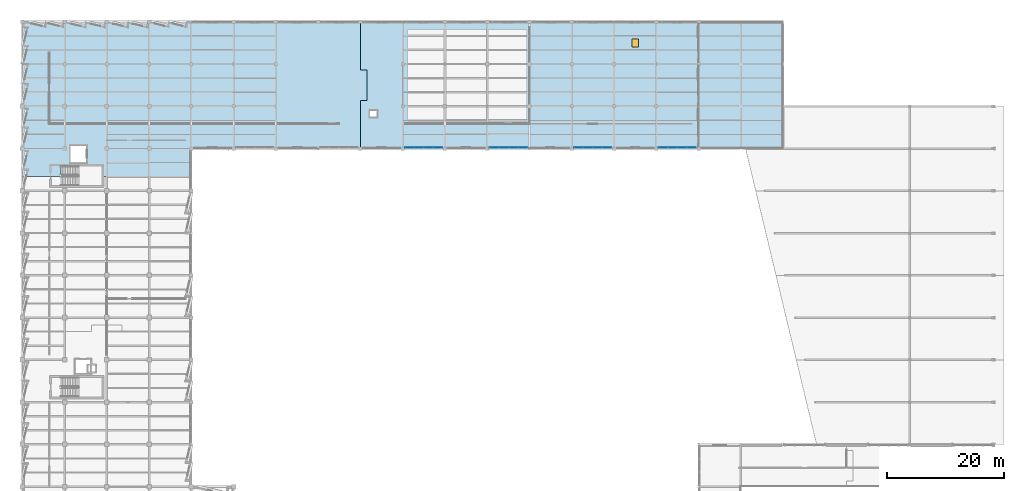
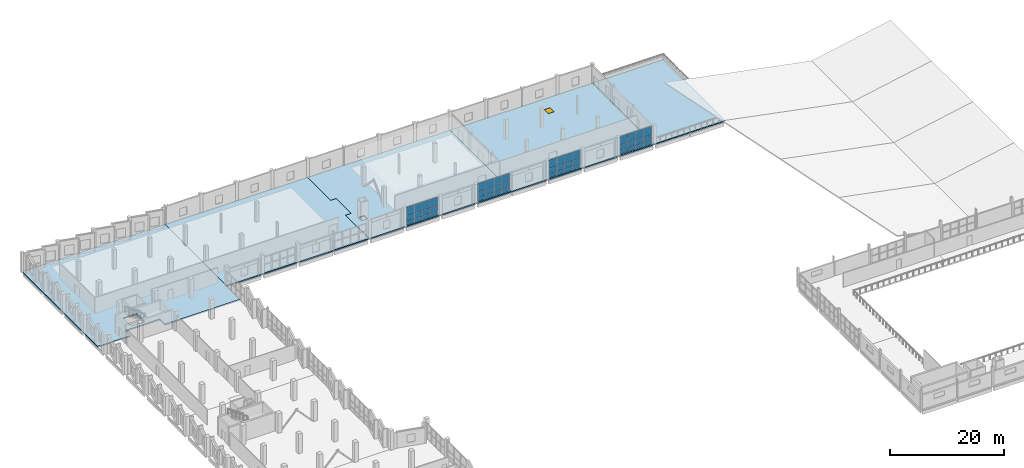
# One storey, part 61 of 94: 48 plates, 5 slabs, 1 door, 1 opening, 4 elements without a shape of their own.
"""IFC4 building model written with IfcOpenShell, lengths in metres."""

from ifc_helpers import new_model, si_unit, direction, frame, origin, origin_2d, place, context, subcontext, project, spatial, polyline, rectangle, outline, extrude, material, layer, layer_set, type_object, element, fill, aggregate, save


model = new_model("IFC4")

# Units and contexts
model_context = context("Model", 3, precision=1e-05, world=origin(), true_north=direction((0.0, 1.0)))
body_context = subcontext(model_context, "Body", "Model", "MODEL_VIEW")
ifc_project = project(units=[si_unit("LENGTHUNIT", "METRE"), si_unit("AREAUNIT", "SQUARE_METRE"), si_unit("VOLUMEUNIT", "CUBIC_METRE"), si_unit("PLANEANGLEUNIT", "RADIAN"), si_unit("MASSUNIT", "GRAM", prefix="KILO")], contexts=[model_context])

# Site, building, storey
site_placement = place(None, origin())
site = spatial("IfcSite", under=ifc_project, at=site_placement, CompositionType="ELEMENT")
building_placement = place(site_placement, origin())
building = spatial("IfcBuilding", under=site, at=building_placement, Name="Kalmorath City Hall", CompositionType="ELEMENT")
storey_placement = place(building_placement, frame((0.0, 0.0, 14.699951171875)))
storey = spatial("IfcBuildingStorey", under=building, at=storey_placement, Name="L03", CompositionType="ELEMENT", Elevation=14.699951171875)

# Curtain wall, plates
ifc_material_1 = material(Name="Anodised aluminium and laminated glass", Category="aluminium")
curtain_wall_type_1 = type_object("IfcCurtainWallType", Name="Unitised hurricane curtain wall 6420x3950 M1750", PredefinedType="NOTDEFINED", material=ifc_material_1)
curtain_wall_1_placement = place(storey_placement, origin())
curtain_wall_1 = element("IfcCurtainWall", 1, at=curtain_wall_1_placement, inside=storey, type_object=curtain_wall_type_1, Name="L03 curtain wall CW-64X40M18 #145", PredefinedType="NOTDEFINED")
ifc_material_2 = material(Name="Hurricane laminated low-E glass", Category="glass")
ifc_layer_1 = layer(ifc_material_2, 0.02392578125)
ifc_layer_set_1 = layer_set([ifc_layer_1], Name="Hurricane laminated low-E glass")
plate_type = type_object("IfcPlateType", Name="Clerestory diffused glazed panel 24", PredefinedType="CURTAIN_PANEL", material=ifc_layer_set_1)
plate_1_placement = place(storey_placement, frame((113.9912109375, 93.760009765625, 0.06005859375), z_axis=(0.0, 0.0, 1.0), x_axis=(-1.0, 0.0, 0.0)))
plate_1 = element("IfcPlate", 2, at=plate_1_placement, type_object=plate_type, Name="CW-64X40M18 panel 1.1", PredefinedType="CURTAIN_PANEL", context=body_context, shape_type="SweptSolid", body=[
    extrude(rectangle(XDim=1.507568359375, YDim=0.02392578125, at=origin_2d()), origin(), (0.0, 0.0, 1.0), 0.760009765625),
])
plate_2_placement = place(storey_placement, frame((113.9912109375, 93.760009765625, 0.880126953125), z_axis=(0.0, 0.0, 1.0), x_axis=(-1.0, 0.0, 0.0)))
plate_2 = element("IfcPlate", 3, at=plate_2_placement, type_object=plate_type, Name="CW-64X40M18 panel 1.2", PredefinedType="CURTAIN_PANEL", context=body_context, shape_type="SweptSolid", body=[
    extrude(rectangle(XDim=1.507568359375, YDim=0.02392578125, at=origin_2d()), origin(), (0.0, 0.0, 1.0), 1.14404296875),
])
plate_3_placement = place(storey_placement, frame((113.9912109375, 93.760009765625, 2.083984375), z_axis=(0.0, 0.0, 1.0), x_axis=(-1.0, 0.0, 0.0)))
plate_3 = element("IfcPlate", 4, at=plate_3_placement, type_object=plate_type, Name="CW-64X40M18 panel 1.3", PredefinedType="CURTAIN_PANEL", context=body_context, shape_type="SweptSolid", body=[
    extrude(rectangle(XDim=1.507568359375, YDim=0.02392578125, at=origin_2d()), origin(), (0.0, 0.0, 1.0), 1.805908203125),
])
plate_4_placement = place(storey_placement, frame((112.402587890625, 93.760009765625, 0.06005859375), z_axis=(0.0, 0.0, 1.0), x_axis=(-1.0, 0.0, 0.0)))
plate_4 = element("IfcPlate", 5, at=plate_4_placement, type_object=plate_type, Name="CW-64X40M18 panel 2.1", PredefinedType="CURTAIN_PANEL", context=body_context, shape_type="SweptSolid", body=[
    extrude(rectangle(XDim=1.5400390625, YDim=0.02392578125, at=origin_2d()), origin(), (0.0, 0.0, 1.0), 0.760009765625),
])
plate_5_placement = place(storey_placement, frame((112.402587890625, 93.760009765625, 0.880126953125), z_axis=(0.0, 0.0, 1.0), x_axis=(-1.0, 0.0, 0.0)))
plate_5 = element("IfcPlate", 6, at=plate_5_placement, type_object=plate_type, Name="CW-64X40M18 panel 2.2", PredefinedType="CURTAIN_PANEL", context=body_context, shape_type="SweptSolid", body=[
    extrude(rectangle(XDim=1.5400390625, YDim=0.02392578125, at=origin_2d()), origin(), (0.0, 0.0, 1.0), 1.14404296875),
])
plate_6_placement = place(storey_placement, frame((112.402587890625, 93.760009765625, 2.083984375), z_axis=(0.0, 0.0, 1.0), x_axis=(-1.0, 0.0, 0.0)))
plate_6 = element("IfcPlate", 7, at=plate_6_placement, type_object=plate_type, Name="CW-64X40M18 panel 2.3", PredefinedType="CURTAIN_PANEL", context=body_context, shape_type="SweptSolid", body=[
    extrude(rectangle(XDim=1.5400390625, YDim=0.02392578125, at=origin_2d()), origin(), (0.0, 0.0, 1.0), 1.805908203125),
])
plate_7_placement = place(storey_placement, frame((110.797607421875, 93.760009765625, 0.06005859375), z_axis=(0.0, 0.0, 1.0), x_axis=(-1.0, 0.0, 0.0)))
plate_7 = element("IfcPlate", 8, at=plate_7_placement, type_object=plate_type, Name="CW-64X40M18 panel 3.1", PredefinedType="CURTAIN_PANEL", context=body_context, shape_type="SweptSolid", body=[
    extrude(rectangle(XDim=1.5400390625, YDim=0.02392578125, at=origin_2d()), origin(), (0.0, 0.0, 1.0), 0.760009765625),
])
plate_8_placement = place(storey_placement, frame((110.797607421875, 93.760009765625, 0.880126953125), z_axis=(0.0, 0.0, 1.0), x_axis=(-1.0, 0.0, 0.0)))
plate_8 = element("IfcPlate", 9, at=plate_8_placement, type_object=plate_type, Name="CW-64X40M18 panel 3.2", PredefinedType="CURTAIN_PANEL", context=body_context, shape_type="SweptSolid", body=[
    extrude(rectangle(XDim=1.5400390625, YDim=0.02392578125, at=origin_2d()), origin(), (0.0, 0.0, 1.0), 1.14404296875),
])
plate_9_placement = place(storey_placement, frame((110.797607421875, 93.760009765625, 2.083984375), z_axis=(0.0, 0.0, 1.0), x_axis=(-1.0, 0.0, 0.0)))
plate_9 = element("IfcPlate", 10, at=plate_9_placement, type_object=plate_type, Name="CW-64X40M18 panel 3.3", PredefinedType="CURTAIN_PANEL", context=body_context, shape_type="SweptSolid", body=[
    extrude(rectangle(XDim=1.5400390625, YDim=0.02392578125, at=origin_2d()), origin(), (0.0, 0.0, 1.0), 1.805908203125),
])
plate_10_placement = place(storey_placement, frame((109.208740234375, 93.760009765625, 0.06005859375), z_axis=(0.0, 0.0, 1.0), x_axis=(-1.0, 0.0, 0.0)))
plate_10 = element("IfcPlate", 11, at=plate_10_placement, type_object=plate_type, Name="CW-64X40M18 panel 4.1", PredefinedType="CURTAIN_PANEL", context=body_context, shape_type="SweptSolid", body=[
    extrude(rectangle(XDim=1.507568359375, YDim=0.02392578125, at=origin_2d()), origin(), (0.0, 0.0, 1.0), 0.760009765625),
])
plate_11_placement = place(storey_placement, frame((109.208740234375, 93.760009765625, 0.880126953125), z_axis=(0.0, 0.0, 1.0), x_axis=(-1.0, 0.0, 0.0)))
plate_11 = element("IfcPlate", 12, at=plate_11_placement, type_object=plate_type, Name="CW-64X40M18 panel 4.2", PredefinedType="CURTAIN_PANEL", context=body_context, shape_type="SweptSolid", body=[
    extrude(rectangle(XDim=1.507568359375, YDim=0.02392578125, at=origin_2d()), origin(), (0.0, 0.0, 1.0), 1.14404296875),
])
plate_12_placement = place(storey_placement, frame((109.208740234375, 93.760009765625, 2.083984375), z_axis=(0.0, 0.0, 1.0), x_axis=(-1.0, 0.0, 0.0)))
plate_12 = element("IfcPlate", 13, at=plate_12_placement, type_object=plate_type, Name="CW-64X40M18 panel 4.3", PredefinedType="CURTAIN_PANEL", context=body_context, shape_type="SweptSolid", body=[
    extrude(rectangle(XDim=1.507568359375, YDim=0.02392578125, at=origin_2d()), origin(), (0.0, 0.0, 1.0), 1.805908203125),
])
aggregate(curtain_wall_1, [plate_1, plate_2, plate_3, plate_4, plate_5, plate_6, plate_7, plate_8, plate_9, plate_10, plate_11, plate_12])

curtain_wall_2_placement = place(storey_placement, origin())
curtain_wall_2 = element("IfcCurtainWall", 14, at=curtain_wall_2_placement, inside=storey, type_object=curtain_wall_type_1, Name="L03 curtain wall CW-64X40M18 #146", PredefinedType="NOTDEFINED")
plate_13_placement = place(storey_placement, frame((99.59130859375, 93.760009765625, 0.06005859375), z_axis=(0.0, 0.0, 1.0), x_axis=(-1.0, 0.0, 0.0)))
plate_13 = element("IfcPlate", 15, at=plate_13_placement, type_object=plate_type, Name="CW-64X40M18 panel 1.1", PredefinedType="CURTAIN_PANEL", context=body_context, shape_type="SweptSolid", body=[
    extrude(rectangle(XDim=1.507568359375, YDim=0.02392578125, at=origin_2d()), origin(), (0.0, 0.0, 1.0), 0.760009765625),
])
plate_14_placement = place(storey_placement, frame((99.59130859375, 93.760009765625, 0.880126953125), z_axis=(0.0, 0.0, 1.0), x_axis=(-1.0, 0.0, 0.0)))
plate_14 = element("IfcPlate", 16, at=plate_14_placement, type_object=plate_type, Name="CW-64X40M18 panel 1.2", PredefinedType="CURTAIN_PANEL", context=body_context, shape_type="SweptSolid", body=[
    extrude(rectangle(XDim=1.507568359375, YDim=0.02392578125, at=origin_2d()), origin(), (0.0, 0.0, 1.0), 1.14404296875),
])
plate_15_placement = place(storey_placement, frame((99.59130859375, 93.760009765625, 2.083984375), z_axis=(0.0, 0.0, 1.0), x_axis=(-1.0, 0.0, 0.0)))
plate_15 = element("IfcPlate", 17, at=plate_15_placement, type_object=plate_type, Name="CW-64X40M18 panel 1.3", PredefinedType="CURTAIN_PANEL", context=body_context, shape_type="SweptSolid", body=[
    extrude(rectangle(XDim=1.507568359375, YDim=0.02392578125, at=origin_2d()), origin(), (0.0, 0.0, 1.0), 1.805908203125),
])
plate_16_placement = place(storey_placement, frame((98.00244140625, 93.760009765625, 0.06005859375), z_axis=(0.0, 0.0, 1.0), x_axis=(-1.0, 0.0, 0.0)))
plate_16 = element("IfcPlate", 18, at=plate_16_placement, type_object=plate_type, Name="CW-64X40M18 panel 2.1", PredefinedType="CURTAIN_PANEL", context=body_context, shape_type="SweptSolid", body=[
    extrude(rectangle(XDim=1.5400390625, YDim=0.02392578125, at=origin_2d()), origin(), (0.0, 0.0, 1.0), 0.760009765625),
])
plate_17_placement = place(storey_placement, frame((98.00244140625, 93.760009765625, 0.880126953125), z_axis=(0.0, 0.0, 1.0), x_axis=(-1.0, 0.0, 0.0)))
plate_17 = element("IfcPlate", 19, at=plate_17_placement, type_object=plate_type, Name="CW-64X40M18 panel 2.2", PredefinedType="CURTAIN_PANEL", context=body_context, shape_type="SweptSolid", body=[
    extrude(rectangle(XDim=1.5400390625, YDim=0.02392578125, at=origin_2d()), origin(), (0.0, 0.0, 1.0), 1.14404296875),
])
plate_18_placement = place(storey_placement, frame((98.00244140625, 93.760009765625, 2.083984375), z_axis=(0.0, 0.0, 1.0), x_axis=(-1.0, 0.0, 0.0)))
plate_18 = element("IfcPlate", 20, at=plate_18_placement, type_object=plate_type, Name="CW-64X40M18 panel 2.3", PredefinedType="CURTAIN_PANEL", context=body_context, shape_type="SweptSolid", body=[
    extrude(rectangle(XDim=1.5400390625, YDim=0.02392578125, at=origin_2d()), origin(), (0.0, 0.0, 1.0), 1.805908203125),
])
plate_19_placement = place(storey_placement, frame((96.3974609375, 93.760009765625, 0.06005859375), z_axis=(0.0, 0.0, 1.0), x_axis=(-1.0, 0.0, 0.0)))
plate_19 = element("IfcPlate", 21, at=plate_19_placement, type_object=plate_type, Name="CW-64X40M18 panel 3.1", PredefinedType="CURTAIN_PANEL", context=body_context, shape_type="SweptSolid", body=[
    extrude(rectangle(XDim=1.5400390625, YDim=0.02392578125, at=origin_2d()), origin(), (0.0, 0.0, 1.0), 0.760009765625),
])
plate_20_placement = place(storey_placement, frame((96.3974609375, 93.760009765625, 0.880126953125), z_axis=(0.0, 0.0, 1.0), x_axis=(-1.0, 0.0, 0.0)))
plate_20 = element("IfcPlate", 22, at=plate_20_placement, type_object=plate_type, Name="CW-64X40M18 panel 3.2", PredefinedType="CURTAIN_PANEL", context=body_context, shape_type="SweptSolid", body=[
    extrude(rectangle(XDim=1.5400390625, YDim=0.02392578125, at=origin_2d()), origin(), (0.0, 0.0, 1.0), 1.14404296875),
])
plate_21_placement = place(storey_placement, frame((96.3974609375, 93.760009765625, 2.083984375), z_axis=(0.0, 0.0, 1.0), x_axis=(-1.0, 0.0, 0.0)))
plate_21 = element("IfcPlate", 23, at=plate_21_placement, type_object=plate_type, Name="CW-64X40M18 panel 3.3", PredefinedType="CURTAIN_PANEL", context=body_context, shape_type="SweptSolid", body=[
    extrude(rectangle(XDim=1.5400390625, YDim=0.02392578125, at=origin_2d()), origin(), (0.0, 0.0, 1.0), 1.805908203125),
])
plate_22_placement = place(storey_placement, frame((94.808837890625, 93.760009765625, 0.06005859375), z_axis=(0.0, 0.0, 1.0), x_axis=(-1.0, 0.0, 0.0)))
plate_22 = element("IfcPlate", 24, at=plate_22_placement, type_object=plate_type, Name="CW-64X40M18 panel 4.1", PredefinedType="CURTAIN_PANEL", context=body_context, shape_type="SweptSolid", body=[
    extrude(rectangle(XDim=1.507568359375, YDim=0.02392578125, at=origin_2d()), origin(), (0.0, 0.0, 1.0), 0.760009765625),
])
plate_23_placement = place(storey_placement, frame((94.808837890625, 93.760009765625, 0.880126953125), z_axis=(0.0, 0.0, 1.0), x_axis=(-1.0, 0.0, 0.0)))
plate_23 = element("IfcPlate", 25, at=plate_23_placement, type_object=plate_type, Name="CW-64X40M18 panel 4.2", PredefinedType="CURTAIN_PANEL", context=body_context, shape_type="SweptSolid", body=[
    extrude(rectangle(XDim=1.507568359375, YDim=0.02392578125, at=origin_2d()), origin(), (0.0, 0.0, 1.0), 1.14404296875),
])
plate_24_placement = place(storey_placement, frame((94.808837890625, 93.760009765625, 2.083984375), z_axis=(0.0, 0.0, 1.0), x_axis=(-1.0, 0.0, 0.0)))
plate_24 = element("IfcPlate", 26, at=plate_24_placement, type_object=plate_type, Name="CW-64X40M18 panel 4.3", PredefinedType="CURTAIN_PANEL", context=body_context, shape_type="SweptSolid", body=[
    extrude(rectangle(XDim=1.507568359375, YDim=0.02392578125, at=origin_2d()), origin(), (0.0, 0.0, 1.0), 1.805908203125),
])
aggregate(curtain_wall_2, [plate_13, plate_14, plate_15, plate_16, plate_17, plate_18, plate_19, plate_20, plate_21, plate_22, plate_23, plate_24])

ifc_material_3 = material(Name="Anodised aluminium and laminated glass", Category="aluminium")
curtain_wall_type_2 = type_object("IfcCurtainWallType", Name="Unitised hurricane curtain wall 6544x3950 M1750", PredefinedType="NOTDEFINED", material=ifc_material_3)
curtain_wall_3_placement = place(storey_placement, origin())
curtain_wall_3 = element("IfcCurtainWall", 27, at=curtain_wall_3_placement, inside=storey, type_object=curtain_wall_type_2, Name="L03 curtain wall CW-65X40M18 #147", PredefinedType="NOTDEFINED")
plate_25_placement = place(storey_placement, frame((85.29931640625, 93.760009765625, 0.06005859375), z_axis=(0.0, 0.0, 1.0), x_axis=(-1.0, 0.0, 0.0)))
plate_25 = element("IfcPlate", 28, at=plate_25_placement, type_object=plate_type, Name="CW-65X40M18 panel 1.1", PredefinedType="CURTAIN_PANEL", context=body_context, shape_type="SweptSolid", body=[
    extrude(rectangle(XDim=1.538330078125, YDim=0.02392578125, at=origin_2d()), origin(), (0.0, 0.0, 1.0), 0.760009765625),
])
plate_26_placement = place(storey_placement, frame((85.29931640625, 93.760009765625, 0.880126953125), z_axis=(0.0, 0.0, 1.0), x_axis=(-1.0, 0.0, 0.0)))
plate_26 = element("IfcPlate", 29, at=plate_26_placement, type_object=plate_type, Name="CW-65X40M18 panel 1.2", PredefinedType="CURTAIN_PANEL", context=body_context, shape_type="SweptSolid", body=[
    extrude(rectangle(XDim=1.538330078125, YDim=0.02392578125, at=origin_2d()), origin(), (0.0, 0.0, 1.0), 1.14404296875),
])
plate_27_placement = place(storey_placement, frame((85.29931640625, 93.760009765625, 2.083984375), z_axis=(0.0, 0.0, 1.0), x_axis=(-1.0, 0.0, 0.0)))
plate_27 = element("IfcPlate", 30, at=plate_27_placement, type_object=plate_type, Name="CW-65X40M18 panel 1.3", PredefinedType="CURTAIN_PANEL", context=body_context, shape_type="SweptSolid", body=[
    extrude(rectangle(XDim=1.538330078125, YDim=0.02392578125, at=origin_2d()), origin(), (0.0, 0.0, 1.0), 1.805908203125),
])
plate_28_placement = place(storey_placement, frame((83.6796875, 93.760009765625, 0.06005859375), z_axis=(0.0, 0.0, 1.0), x_axis=(-1.0, 0.0, 0.0)))
plate_28 = element("IfcPlate", 31, at=plate_28_placement, type_object=plate_type, Name="CW-65X40M18 panel 2.1", PredefinedType="CURTAIN_PANEL", context=body_context, shape_type="SweptSolid", body=[
    extrude(rectangle(XDim=1.57080078125, YDim=0.02392578125, at=origin_2d()), origin(), (0.0, 0.0, 1.0), 0.760009765625),
])
plate_29_placement = place(storey_placement, frame((83.6796875, 93.760009765625, 0.880126953125), z_axis=(0.0, 0.0, 1.0), x_axis=(-1.0, 0.0, 0.0)))
plate_29 = element("IfcPlate", 32, at=plate_29_placement, type_object=plate_type, Name="CW-65X40M18 panel 2.2", PredefinedType="CURTAIN_PANEL", context=body_context, shape_type="SweptSolid", body=[
    extrude(rectangle(XDim=1.57080078125, YDim=0.02392578125, at=origin_2d()), origin(), (0.0, 0.0, 1.0), 1.14404296875),
])
plate_30_placement = place(storey_placement, frame((83.6796875, 93.760009765625, 2.083984375), z_axis=(0.0, 0.0, 1.0), x_axis=(-1.0, 0.0, 0.0)))
plate_30 = element("IfcPlate", 33, at=plate_30_placement, type_object=plate_type, Name="CW-65X40M18 panel 2.3", PredefinedType="CURTAIN_PANEL", context=body_context, shape_type="SweptSolid", body=[
    extrude(rectangle(XDim=1.57080078125, YDim=0.02392578125, at=origin_2d()), origin(), (0.0, 0.0, 1.0), 1.805908203125),
])
plate_31_placement = place(storey_placement, frame((82.043701171875, 93.760009765625, 0.06005859375), z_axis=(0.0, 0.0, 1.0), x_axis=(-1.0, 0.0, 0.0)))
plate_31 = element("IfcPlate", 34, at=plate_31_placement, type_object=plate_type, Name="CW-65X40M18 panel 3.1", PredefinedType="CURTAIN_PANEL", context=body_context, shape_type="SweptSolid", body=[
    extrude(rectangle(XDim=1.57080078125, YDim=0.02392578125, at=origin_2d()), origin(), (0.0, 0.0, 1.0), 0.760009765625),
])
plate_32_placement = place(storey_placement, frame((82.043701171875, 93.760009765625, 0.880126953125), z_axis=(0.0, 0.0, 1.0), x_axis=(-1.0, 0.0, 0.0)))
plate_32 = element("IfcPlate", 35, at=plate_32_placement, type_object=plate_type, Name="CW-65X40M18 panel 3.2", PredefinedType="CURTAIN_PANEL", context=body_context, shape_type="SweptSolid", body=[
    extrude(rectangle(XDim=1.57080078125, YDim=0.02392578125, at=origin_2d()), origin(), (0.0, 0.0, 1.0), 1.14404296875),
])
plate_33_placement = place(storey_placement, frame((82.043701171875, 93.760009765625, 2.083984375), z_axis=(0.0, 0.0, 1.0), x_axis=(-1.0, 0.0, 0.0)))
plate_33 = element("IfcPlate", 36, at=plate_33_placement, type_object=plate_type, Name="CW-65X40M18 panel 3.3", PredefinedType="CURTAIN_PANEL", context=body_context, shape_type="SweptSolid", body=[
    extrude(rectangle(XDim=1.57080078125, YDim=0.02392578125, at=origin_2d()), origin(), (0.0, 0.0, 1.0), 1.805908203125),
])
plate_34_placement = place(storey_placement, frame((80.424072265625, 93.760009765625, 0.06005859375), z_axis=(0.0, 0.0, 1.0), x_axis=(-1.0, 0.0, 0.0)))
plate_34 = element("IfcPlate", 37, at=plate_34_placement, type_object=plate_type, Name="CW-65X40M18 panel 4.1", PredefinedType="CURTAIN_PANEL", context=body_context, shape_type="SweptSolid", body=[
    extrude(rectangle(XDim=1.538330078125, YDim=0.02392578125, at=origin_2d()), origin(), (0.0, 0.0, 1.0), 0.760009765625),
])
plate_35_placement = place(storey_placement, frame((80.424072265625, 93.760009765625, 0.880126953125), z_axis=(0.0, 0.0, 1.0), x_axis=(-1.0, 0.0, 0.0)))
plate_35 = element("IfcPlate", 38, at=plate_35_placement, type_object=plate_type, Name="CW-65X40M18 panel 4.2", PredefinedType="CURTAIN_PANEL", context=body_context, shape_type="SweptSolid", body=[
    extrude(rectangle(XDim=1.538330078125, YDim=0.02392578125, at=origin_2d()), origin(), (0.0, 0.0, 1.0), 1.14404296875),
])
plate_36_placement = place(storey_placement, frame((80.424072265625, 93.760009765625, 2.083984375), z_axis=(0.0, 0.0, 1.0), x_axis=(-1.0, 0.0, 0.0)))
plate_36 = element("IfcPlate", 39, at=plate_36_placement, type_object=plate_type, Name="CW-65X40M18 panel 4.3", PredefinedType="CURTAIN_PANEL", context=body_context, shape_type="SweptSolid", body=[
    extrude(rectangle(XDim=1.538330078125, YDim=0.02392578125, at=origin_2d()), origin(), (0.0, 0.0, 1.0), 1.805908203125),
])
aggregate(curtain_wall_3, [plate_25, plate_26, plate_27, plate_28, plate_29, plate_30, plate_31, plate_32, plate_33, plate_34, plate_35, plate_36])

curtain_wall_4_placement = place(storey_placement, origin())
curtain_wall_4 = element("IfcCurtainWall", 40, at=curtain_wall_4_placement, inside=storey, type_object=curtain_wall_type_1, Name="L03 curtain wall CW-64X40M18 #148", PredefinedType="NOTDEFINED")
plate_37_placement = place(storey_placement, frame((70.791259765625, 93.760009765625, 0.06005859375), z_axis=(0.0, 0.0, 1.0), x_axis=(-1.0, 0.0, 0.0)))
plate_37 = element("IfcPlate", 41, at=plate_37_placement, type_object=plate_type, Name="CW-64X40M18 panel 1.1", PredefinedType="CURTAIN_PANEL", context=body_context, shape_type="SweptSolid", body=[
    extrude(rectangle(XDim=1.507568359375, YDim=0.02392578125, at=origin_2d()), origin(), (0.0, 0.0, 1.0), 0.760009765625),
])
plate_38_placement = place(storey_placement, frame((70.791259765625, 93.760009765625, 0.880126953125), z_axis=(0.0, 0.0, 1.0), x_axis=(-1.0, 0.0, 0.0)))
plate_38 = element("IfcPlate", 42, at=plate_38_placement, type_object=plate_type, Name="CW-64X40M18 panel 1.2", PredefinedType="CURTAIN_PANEL", context=body_context, shape_type="SweptSolid", body=[
    extrude(rectangle(XDim=1.507568359375, YDim=0.02392578125, at=origin_2d()), origin(), (0.0, 0.0, 1.0), 1.14404296875),
])
plate_39_placement = place(storey_placement, frame((70.791259765625, 93.760009765625, 2.083984375), z_axis=(0.0, 0.0, 1.0), x_axis=(-1.0, 0.0, 0.0)))
plate_39 = element("IfcPlate", 43, at=plate_39_placement, type_object=plate_type, Name="CW-64X40M18 panel 1.3", PredefinedType="CURTAIN_PANEL", context=body_context, shape_type="SweptSolid", body=[
    extrude(rectangle(XDim=1.507568359375, YDim=0.02392578125, at=origin_2d()), origin(), (0.0, 0.0, 1.0), 1.805908203125),
])
plate_40_placement = place(storey_placement, frame((69.202392578125, 93.760009765625, 0.06005859375), z_axis=(0.0, 0.0, 1.0), x_axis=(-1.0, 0.0, 0.0)))
plate_40 = element("IfcPlate", 44, at=plate_40_placement, type_object=plate_type, Name="CW-64X40M18 panel 2.1", PredefinedType="CURTAIN_PANEL", context=body_context, shape_type="SweptSolid", body=[
    extrude(rectangle(XDim=1.5400390625, YDim=0.02392578125, at=origin_2d()), origin(), (0.0, 0.0, 1.0), 0.760009765625),
])
plate_41_placement = place(storey_placement, frame((69.202392578125, 93.760009765625, 0.880126953125), z_axis=(0.0, 0.0, 1.0), x_axis=(-1.0, 0.0, 0.0)))
plate_41 = element("IfcPlate", 45, at=plate_41_placement, type_object=plate_type, Name="CW-64X40M18 panel 2.2", PredefinedType="CURTAIN_PANEL", context=body_context, shape_type="SweptSolid", body=[
    extrude(rectangle(XDim=1.5400390625, YDim=0.02392578125, at=origin_2d()), origin(), (0.0, 0.0, 1.0), 1.14404296875),
])
plate_42_placement = place(storey_placement, frame((69.202392578125, 93.760009765625, 2.083984375), z_axis=(0.0, 0.0, 1.0), x_axis=(-1.0, 0.0, 0.0)))
plate_42 = element("IfcPlate", 46, at=plate_42_placement, type_object=plate_type, Name="CW-64X40M18 panel 2.3", PredefinedType="CURTAIN_PANEL", context=body_context, shape_type="SweptSolid", body=[
    extrude(rectangle(XDim=1.5400390625, YDim=0.02392578125, at=origin_2d()), origin(), (0.0, 0.0, 1.0), 1.805908203125),
])
plate_43_placement = place(storey_placement, frame((67.597412109375, 93.760009765625, 0.06005859375), z_axis=(0.0, 0.0, 1.0), x_axis=(-1.0, 0.0, 0.0)))
plate_43 = element("IfcPlate", 47, at=plate_43_placement, type_object=plate_type, Name="CW-64X40M18 panel 3.1", PredefinedType="CURTAIN_PANEL", context=body_context, shape_type="SweptSolid", body=[
    extrude(rectangle(XDim=1.5400390625, YDim=0.02392578125, at=origin_2d()), origin(), (0.0, 0.0, 1.0), 0.760009765625),
])
plate_44_placement = place(storey_placement, frame((67.597412109375, 93.760009765625, 0.880126953125), z_axis=(0.0, 0.0, 1.0), x_axis=(-1.0, 0.0, 0.0)))
plate_44 = element("IfcPlate", 48, at=plate_44_placement, type_object=plate_type, Name="CW-64X40M18 panel 3.2", PredefinedType="CURTAIN_PANEL", context=body_context, shape_type="SweptSolid", body=[
    extrude(rectangle(XDim=1.5400390625, YDim=0.02392578125, at=origin_2d()), origin(), (0.0, 0.0, 1.0), 1.14404296875),
])
plate_45_placement = place(storey_placement, frame((67.597412109375, 93.760009765625, 2.083984375), z_axis=(0.0, 0.0, 1.0), x_axis=(-1.0, 0.0, 0.0)))
plate_45 = element("IfcPlate", 49, at=plate_45_placement, type_object=plate_type, Name="CW-64X40M18 panel 3.3", PredefinedType="CURTAIN_PANEL", context=body_context, shape_type="SweptSolid", body=[
    extrude(rectangle(XDim=1.5400390625, YDim=0.02392578125, at=origin_2d()), origin(), (0.0, 0.0, 1.0), 1.805908203125),
])
plate_46_placement = place(storey_placement, frame((66.0087890625, 93.760009765625, 0.06005859375), z_axis=(0.0, 0.0, 1.0), x_axis=(-1.0, 0.0, 0.0)))
plate_46 = element("IfcPlate", 50, at=plate_46_placement, type_object=plate_type, Name="CW-64X40M18 panel 4.1", PredefinedType="CURTAIN_PANEL", context=body_context, shape_type="SweptSolid", body=[
    extrude(rectangle(XDim=1.507568359375, YDim=0.02392578125, at=origin_2d()), origin(), (0.0, 0.0, 1.0), 0.760009765625),
])
plate_47_placement = place(storey_placement, frame((66.0087890625, 93.760009765625, 0.880126953125), z_axis=(0.0, 0.0, 1.0), x_axis=(-1.0, 0.0, 0.0)))
plate_47 = element("IfcPlate", 51, at=plate_47_placement, type_object=plate_type, Name="CW-64X40M18 panel 4.2", PredefinedType="CURTAIN_PANEL", context=body_context, shape_type="SweptSolid", body=[
    extrude(rectangle(XDim=1.507568359375, YDim=0.02392578125, at=origin_2d()), origin(), (0.0, 0.0, 1.0), 1.14404296875),
])
plate_48_placement = place(storey_placement, frame((66.0087890625, 93.760009765625, 2.083984375), z_axis=(0.0, 0.0, 1.0), x_axis=(-1.0, 0.0, 0.0)))
plate_48 = element("IfcPlate", 52, at=plate_48_placement, type_object=plate_type, Name="CW-64X40M18 panel 4.3", PredefinedType="CURTAIN_PANEL", context=body_context, shape_type="SweptSolid", body=[
    extrude(rectangle(XDim=1.507568359375, YDim=0.02392578125, at=origin_2d()), origin(), (0.0, 0.0, 1.0), 1.805908203125),
])
aggregate(curtain_wall_4, [plate_37, plate_38, plate_39, plate_40, plate_41, plate_42, plate_43, plate_44, plate_45, plate_46, plate_47, plate_48])

# Slabs
ifc_material_4 = material(Name="Concrete C40/50", Category="concrete")
ifc_layer_2 = layer(ifc_material_4, 0.22998046875)
ifc_layer_set_2 = layer_set([ifc_layer_2], Name="Concrete C40/50")
slab_type_1 = type_object("IfcSlabType", Name="Concrete recessed corner loggia slab 230", PredefinedType="FLOOR", material=ifc_layer_set_2)
slab_1_placement = place(storey_placement, frame((0.0, 0.0, -0.22998046875)))
element("IfcSlab", 53, at=slab_1_placement, inside=storey, type_object=slab_type_1, Name="L03 Committee East Roof Terrace slab", PredefinedType="FLOOR", context=body_context, shape_type="SweptSolid", body=[
    extrude(outline(polyline([(115.199951171875, 93.60009765625), (129.60009765625, 93.60009765625), (129.60009765625, 115.199951171875), (115.199951171875, 115.199951171875), (115.199951171875, 93.60009765625)])), origin(), (0.0, 0.0, 1.0), 0.22998046875),
])
ifc_material_5 = material(Name="Concrete C40/50", Category="concrete")
ifc_layer_3 = layer(ifc_material_5, 0.260009765625)
ifc_layer_set_3 = layer_set([ifc_layer_3], Name="Concrete C40/50")
slab_type_2 = type_object("IfcSlabType", Name="Concrete upper floor slab 260", PredefinedType="FLOOR", material=ifc_layer_set_3)
slab_2_placement = place(storey_placement, frame((0.0, 0.0, -0.260009765625)))
element("IfcSlab", 54, at=slab_2_placement, inside=storey, type_object=slab_type_2, Name="L03 West Sawtooth Wing and Civic Storm Arcade slab FS4-3", PredefinedType="FLOOR", context=body_context, shape_type="SweptSolid", body=[
    extrude(outline(polyline([(28.800048828125, 115.199951171875), (28.800048828125, 88.800048828125), (13.60009765625, 88.800048828125), (13.60009765625, 90.60009765625), (6.590087890625, 90.60009765625), (6.590087890625, 88.800048828125), (0.0, 88.800048828125), (0.0, 115.199951171875), (28.800048828125, 115.199951171875)]), holes=[polyline([(8.199951171875, 94.10009765625), (8.199951171875, 91.300048828125), (10.89990234375, 91.300048828125), (10.89990234375, 94.10009765625), (8.199951171875, 94.10009765625)])]), origin(), (0.0, 0.0, 1.0), 0.260009765625),
])
slab_3_placement = place(storey_placement, frame((0.0, 0.0, -0.260009765625)))
element("IfcSlab", 55, at=slab_3_placement, inside=storey, type_object=slab_type_2, Name="L03 Basalt Rear Committee Wing slab FS4-1", PredefinedType="FLOOR", context=body_context, shape_type="SweptSolid", body=[
    extrude(outline(polyline([(28.800048828125, 115.199951171875), (57.60009765625, 115.199951171875), (57.60009765625, 107.0), (58.75, 107.0), (58.75, 101.800048828125), (57.60009765625, 101.800048828125), (57.60009765625, 93.60009765625), (28.800048828125, 93.60009765625), (28.800048828125, 115.199951171875)])), origin(), (0.0, 0.0, 1.0), 0.260009765625),
])
slab_4_placement = place(storey_placement, frame((0.0, 0.0, -0.260009765625)))
element("IfcSlab", 56, at=slab_4_placement, inside=storey, type_object=slab_type_2, Name="L03 Basalt Rear Committee Wing slab FS4-2", PredefinedType="FLOOR", context=body_context, shape_type="SweptSolid", body=[
    extrude(outline(polyline([(57.60009765625, 101.800048828125), (58.75, 101.800048828125), (58.75, 107.0), (57.60009765625, 107.0), (57.60009765625, 115.199951171875), (86.39990234375, 115.199951171875), (86.39990234375, 93.60009765625), (57.60009765625, 93.60009765625), (57.60009765625, 101.800048828125)]), holes=[polyline([(59.199951171875, 100.080078125), (59.199951171875, 99.0), (60.39990234375, 99.0), (60.39990234375, 100.080078125), (59.199951171875, 100.080078125)])]), origin(), (0.0, 0.0, 1.0), 0.260009765625),
])

# Slab, opening, door
slab_5_placement = place(storey_placement, frame((0.0, 0.0, -0.260009765625)))
slab_5 = element("IfcSlab", 57, at=slab_5_placement, inside=storey, type_object=slab_type_2, Name="L03 Basalt Rear Committee Wing slab FS4-3", PredefinedType="FLOOR", context=body_context, shape_type="SweptSolid", body=[
    extrude(outline(polyline([(86.39990234375, 93.60009765625), (86.39990234375, 115.199951171875), (115.199951171875, 115.199951171875), (115.199951171875, 93.60009765625), (86.39990234375, 93.60009765625)])), origin(), (0.0, 0.0, 1.0), 0.260009765625),
])
opening_placement = place(slab_5_placement, frame((104.39990234375, 111.60009765625, 0.0)))
opening = element("IfcOpeningElement", 58, at=opening_placement, cuts=slab_5, Name="Opening D-H05", PredefinedType="OPENING", context=body_context, shape_type="SweptSolid", body=[
    extrude(rectangle(XDim=1.10009765625, YDim=1.39990234375, at=origin_2d()), origin(), (0.0, 0.0, 1.0), 0.260009765625),
])
ifc_material_6 = material(Name="Galvanised steel hatch", Category="steel")
door_type = type_object("IfcDoorType", Name="Insulated hurricane roof access hatch 1100x1400", OperationType="SINGLE_SWING_LEFT", PredefinedType="TRAPDOOR", material=ifc_material_6)
door_placement = place(opening_placement, frame((0.0, 0.0, 0.2099609375)))
door = element("IfcDoor", 59, at=door_placement, inside=storey, type_object=door_type, Name="L03 roof access hatch D-H05", OperationType="SINGLE_SWING_LEFT", OverallHeight=1.39990234375, OverallWidth=1.10009765625, PredefinedType="TRAPDOOR", context=body_context, shape_type="SweptSolid", body=[
    extrude(rectangle(XDim=1.10009765625, YDim=1.39990234375, at=origin_2d()), origin(), (0.0, 0.0, 1.0), 0.050048828125),
])
fill(opening, door)

save(model, "model.ifc")
